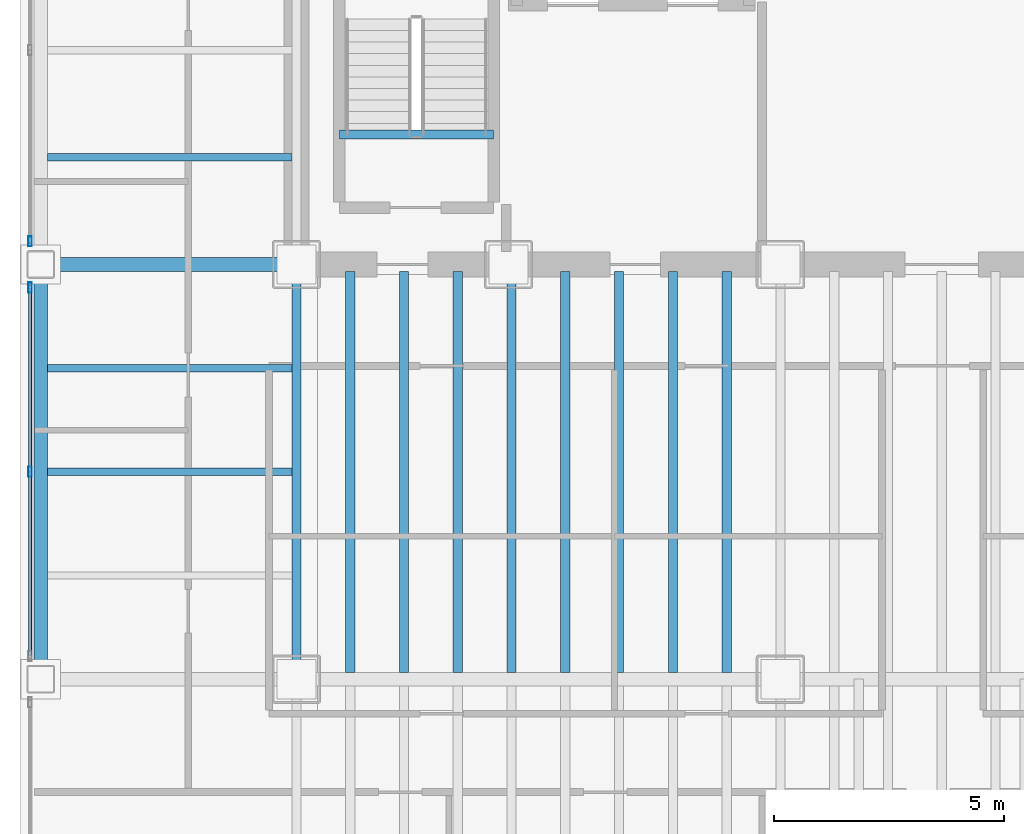
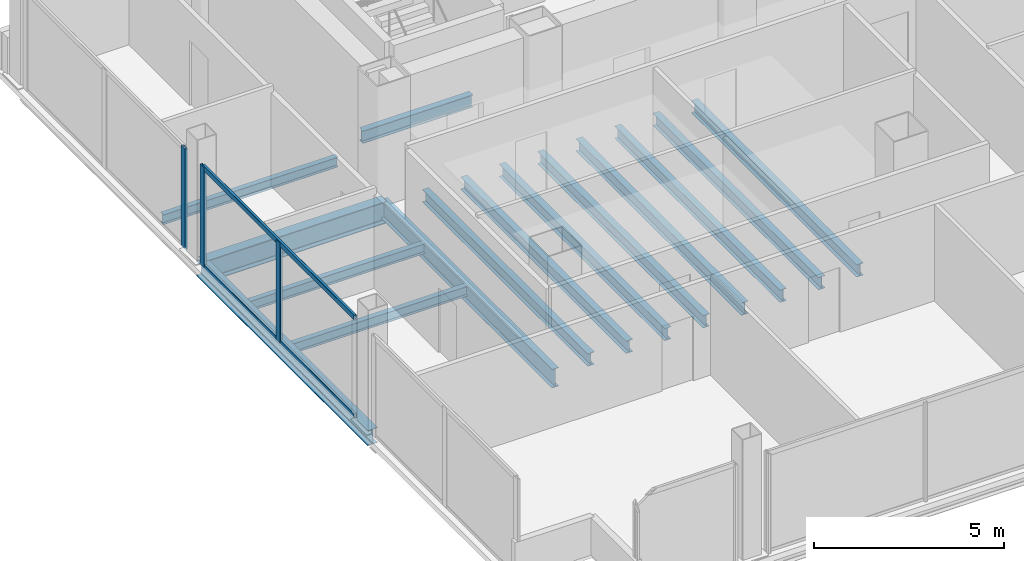
# One storey, part 6 of 22: 15 beams, 5 members, 2 elements without a shape of their own.
"""IFC4 building model written with IfcOpenShell, lengths in metres."""

from ifc_helpers import new_model, si_unit, direction, frame, origin, origin_2d, place, context, subcontext, project, spatial, hollow_rectangle, i_section, extrude, material, material_profile, profile_set, type_object, element, aggregate, save


model = new_model("IFC4")

# Units and contexts
model_context = context("Model", 3, precision=1e-05, world=origin(), true_north=direction((0.0, 1.0)))
body_context = subcontext(model_context, "Body", "Model", "MODEL_VIEW")
ifc_project = project(units=[si_unit("LENGTHUNIT", "METRE"), si_unit("AREAUNIT", "SQUARE_METRE"), si_unit("VOLUMEUNIT", "CUBIC_METRE"), si_unit("PLANEANGLEUNIT", "RADIAN"), si_unit("MASSUNIT", "GRAM", prefix="KILO")], contexts=[model_context])

# Site, building, storey
site_placement = place(None, origin())
site = spatial("IfcSite", under=ifc_project, at=site_placement, CompositionType="ELEMENT")
building_placement = place(site_placement, origin())
building = spatial("IfcBuilding", under=site, at=building_placement, Name="Noeulbin Bourse Tower", CompositionType="ELEMENT")
storey_placement = place(building_placement, frame((0.0, 0.0, 88.89990234375)))
storey = spatial("IfcBuildingStorey", under=building, at=storey_placement, Name="L22", CompositionType="ELEMENT", Elevation=88.89990234375)

# Beams
ifc_material_1 = material(Name="Steel S355", Category="steel")
ifc_material_profile_1 = material_profile(ifc_material_1, i_section(OverallWidth=0.199951171875, OverallDepth=0.60009765625, WebThickness=0.010986328125, FlangeThickness=0.01708984375, FilletRadius=0.02197265625, at=origin_2d()), Name="H-600x200x11x17", Category="LoadBearing")
ifc_profile_set_1 = profile_set([ifc_material_profile_1], Name="Steel S355")
beam_type_1 = type_object("IfcBeamType", Name="BM-GRD-600", PredefinedType="USERDEFINED", material=ifc_profile_set_1)
beam_1_placement = place(storey_placement, frame((13.5, 20.0, -0.47998046875), z_axis=(0.0, 1.0, 0.0), x_axis=(-1.0, 0.0, 0.0)))
element("IfcBeam", 1, at=beam_1_placement, inside=storey, type_object=beam_type_1, Name="Tower Primary Girder NS L22-1.2", ObjectType="GIRDER", PredefinedType="USERDEFINED", context=body_context, shape_type="SweptSolid", body=[
    extrude(i_section(OverallWidth=0.199951171875, OverallDepth=0.60009765625, WebThickness=0.010986328125, FlangeThickness=0.01708984375, FilletRadius=0.02197265625, at=origin_2d()), origin(), (0.0, 0.0, 1.0), 9.0),
])
ifc_material_profile_2 = material_profile(ifc_material_1, i_section(OverallWidth=0.300048828125, OverallDepth=0.699951171875, WebThickness=0.012939453125, FlangeThickness=0.02392578125, FilletRadius=0.02392578125, at=origin_2d()), Name="H-700x300x13x24", Category="LoadBearing")
ifc_profile_set_2 = profile_set([ifc_material_profile_2], Name="Steel S355")
beam_type_2 = type_object("IfcBeamType", Name="BM-GRD-700", PredefinedType="USERDEFINED", material=ifc_profile_set_2)
beam_2_placement = place(storey_placement, frame((7.949951171875, 29.0, -0.52978515625), z_axis=(1.0, 0.0, 0.0), x_axis=(0.0, 1.0, 0.0)))
element("IfcBeam", 2, at=beam_2_placement, inside=storey, type_object=beam_type_2, Name="Tower Primary Girder EW L22-2.1", ObjectType="GIRDER", PredefinedType="USERDEFINED", context=body_context, shape_type="SweptSolid", body=[
    extrude(i_section(OverallWidth=0.300048828125, OverallDepth=0.699951171875, WebThickness=0.012939453125, FlangeThickness=0.02392578125, FilletRadius=0.02392578125, at=origin_2d()), origin(), (0.0, 0.0, 1.0), 5.550048828125),
])
ifc_material_profile_3 = material_profile(ifc_material_1, i_section(OverallWidth=0.159912109375, OverallDepth=0.320068359375, WebThickness=0.006591796875, FlangeThickness=0.010009765625, FilletRadius=0.012939453125, at=origin_2d()), Name="H-320x160x6.5x10", Category="LoadBearing")
ifc_profile_set_3 = profile_set([ifc_material_profile_3], Name="Steel S355")
beam_type_3 = type_object("IfcBeamType", Name="BM-JST-320", PredefinedType="JOIST", material=ifc_profile_set_3)
for number, where, z_axis, x_axis, name in (
    (3, (8.10009765625, 24.5, -0.33984375), (1.0, 0.0, 0.0), (0.0, 1.0, 0.0), "Wing Composite Joist L22-W71"),
    (4, (8.10009765625, 26.75, -0.33984375), (1.0, 0.0, 0.0), (0.0, 1.0, 0.0), "Wing Composite Joist L22-W72"),
    (5, (8.10009765625, 31.324951171875, -0.33984375), (1.0, 0.0, 0.0), (0.0, 1.0, 0.0), "Wing Composite Joist L22-W73"),
):
    element("IfcBeam", number, at=place(storey_placement, frame(where, z_axis=z_axis, x_axis=x_axis)), inside=storey, type_object=beam_type_3, Name=name, PredefinedType="JOIST", context=body_context, shape_type="SweptSolid", body=[
        extrude(i_section(OverallWidth=0.159912109375, OverallDepth=0.320068359375, WebThickness=0.006591796875, FlangeThickness=0.010009765625, FilletRadius=0.012939453125, at=origin_2d()), origin(), (0.0, 0.0, 1.0), 5.2998046875),
    ])
ifc_material_profile_4 = material_profile(ifc_material_1, i_section(OverallWidth=0.199951171875, OverallDepth=0.39990234375, WebThickness=0.008056640625, FlangeThickness=0.012939453125, FilletRadius=0.01611328125, at=origin_2d()), Name="H-400x200x8x13", Category="LoadBearing")
ifc_profile_set_4 = profile_set([ifc_material_profile_4], Name="Steel S355")
beam_type_4 = type_object("IfcBeamType", Name="BM-SEC-400", PredefinedType="BEAM", material=ifc_profile_set_4)
for number, where, z_axis, x_axis, name in (
    (6, (14.666748046875, 20.14990234375, -0.3798828125), (0.0, 1.0, 0.0), (-1.0, 0.0, 0.0), "Tower Composite Joist L22-02"),
    (7, (15.833251953125, 20.14990234375, -0.3798828125), (0.0, 1.0, 0.0), (-1.0, 0.0, 0.0), "Tower Composite Joist L22-05"),
    (8, (17.0, 20.14990234375, -0.3798828125), (0.0, 1.0, 0.0), (-1.0, 0.0, 0.0), "Tower Composite Joist L22-08"),
    (9, (18.166748046875, 20.14990234375, -0.3798828125), (0.0, 1.0, 0.0), (-1.0, 0.0, 0.0), "Tower Composite Joist L22-11"),
    (10, (19.333251953125, 20.14990234375, -0.3798828125), (0.0, 1.0, 0.0), (-1.0, 0.0, 0.0), "Tower Composite Joist L22-14"),
    (11, (20.5, 20.14990234375, -0.3798828125), (0.0, 1.0, 0.0), (-1.0, 0.0, 0.0), "Tower Composite Joist L22-17"),
    (12, (21.666748046875, 20.14990234375, -0.3798828125), (0.0, 1.0, 0.0), (-1.0, 0.0, 0.0), "Tower Composite Joist L22-20"),
    (13, (22.833251953125, 20.14990234375, -0.3798828125), (0.0, 1.0, 0.0), (-1.0, 0.0, 0.0), "Tower Composite Joist L22-23"),
):
    element("IfcBeam", number, at=place(storey_placement, frame(where, z_axis=z_axis, x_axis=x_axis)), inside=storey, type_object=beam_type_4, Name=name, PredefinedType="BEAM", context=body_context, shape_type="SweptSolid", body=[
        extrude(i_section(OverallWidth=0.199951171875, OverallDepth=0.39990234375, WebThickness=0.008056640625, FlangeThickness=0.012939453125, FilletRadius=0.01611328125, at=origin_2d()), origin(), (0.0, 0.0, 1.0), 8.7001953125),
    ])
beam_3_placement = place(storey_placement, frame((14.429931640625, 31.820068359375, -0.199951171875), z_axis=(1.0, 0.0, 0.0), x_axis=(0.0, 1.0, 0.0)))
element("IfcBeam", 14, at=beam_3_placement, inside=storey, type_object=beam_type_4, Name="Stair Threshold Trimmer Beam ST1-L22", PredefinedType="BEAM", context=body_context, shape_type="SweptSolid", body=[
    extrude(i_section(OverallWidth=0.199951171875, OverallDepth=0.39990234375, WebThickness=0.008056640625, FlangeThickness=0.012939453125, FilletRadius=0.01611328125, at=origin_2d()), origin(), (0.0, 0.0, 1.0), 3.340087890625),
])
ifc_material_profile_5 = material_profile(ifc_material_1, i_section(OverallWidth=0.300048828125, OverallDepth=0.488037109375, WebThickness=0.010986328125, FlangeThickness=0.01806640625, FilletRadius=0.02197265625, at=origin_2d()), Name="H-488x300x11x18", Category="LoadBearing")
ifc_profile_set_5 = profile_set([ifc_material_profile_5], Name="Steel S355")
beam_type_5 = type_object("IfcBeamType", Name="BM-SPN-488", PredefinedType="SPANDREL", material=ifc_profile_set_5)
beam_4_placement = place(storey_placement, frame((7.949951171875, 20.0, -0.423828125), z_axis=(0.0, 1.0, 0.0), x_axis=(-1.0, 0.0, 0.0)))
element("IfcBeam", 15, at=beam_4_placement, inside=storey, type_object=beam_type_5, Name="West Spandrel L22-1", PredefinedType="SPANDREL", context=body_context, shape_type="SweptSolid", body=[
    extrude(i_section(OverallWidth=0.300048828125, OverallDepth=0.488037109375, WebThickness=0.010986328125, FlangeThickness=0.01806640625, FilletRadius=0.02197265625, at=origin_2d()), origin(), (0.0, 0.0, 1.0), 9.0),
])

# Curtain wall, members
ifc_material_2 = material(Name="Dark Solar-Control Double Glazing", Category="glass")
curtain_wall_type = type_object("IfcCurtainWallType", Name="CW-SYS-2", PredefinedType="NOTDEFINED", material=ifc_material_2)
curtain_wall_1_placement = place(storey_placement, origin())
curtain_wall_1 = element("IfcCurtainWall", 16, at=curtain_wall_1_placement, inside=storey, type_object=curtain_wall_type, Name="Unitised Curtain Wall CW-L22-W-S2", PredefinedType="NOTDEFINED")
ifc_material_3 = material(Name="Anodised Aluminium 6063-T6", Category="aluminium")
ifc_material_profile_6 = material_profile(ifc_material_3, hollow_rectangle(XDim=0.074951171875, YDim=0.219970703125, WallThickness=0.0048828125, InnerFilletRadius=0.00244140625, OuterFilletRadius=0.0048828125, at=origin_2d()), Name="ALU-MULL-75x220x5", Category="LoadBearing")
ifc_profile_set_6 = profile_set([ifc_material_profile_6], Name="Anodised Aluminium 6063-T6")
member_type_1 = type_object("IfcMemberType", Name="CW-SYS-2-MUL", PredefinedType="MULLION", material=ifc_profile_set_6)
member_1_placement = place(storey_placement, frame((7.719970703125, 24.5, -0.02001953125), z_axis=(0.0, 0.0, 1.0), x_axis=(1.0, 0.0, 0.0)))
member_1 = element("IfcMember", 17, at=member_1_placement, type_object=member_type_1, Name="Curtain Wall Mullion CW-L22-W-S2-M01", PredefinedType="MULLION", context=body_context, shape_type="SweptSolid", body=[
    extrude(hollow_rectangle(XDim=0.074951171875, YDim=0.219970703125, WallThickness=0.0048828125, InnerFilletRadius=0.00244140625, OuterFilletRadius=0.0048828125, at=origin_2d()), origin(), (0.0, 0.0, 1.0), 3.22021484375),
])
member_2_placement = place(storey_placement, frame((7.719970703125, 28.5, -0.02001953125), z_axis=(0.0, 0.0, 1.0), x_axis=(1.0, 0.0, 0.0)))
member_2 = element("IfcMember", 18, at=member_2_placement, type_object=member_type_1, Name="Curtain Wall Mullion CW-L22-W-S2-M02", PredefinedType="MULLION", context=body_context, shape_type="SweptSolid", body=[
    extrude(hollow_rectangle(XDim=0.074951171875, YDim=0.219970703125, WallThickness=0.0048828125, InnerFilletRadius=0.00244140625, OuterFilletRadius=0.0048828125, at=origin_2d()), origin(), (0.0, 0.0, 1.0), 3.22021484375),
])

# Curtain wall, member
curtain_wall_2_placement = place(storey_placement, origin())
curtain_wall_2 = element("IfcCurtainWall", 19, at=curtain_wall_2_placement, inside=storey, type_object=curtain_wall_type, Name="Unitised Curtain Wall CW-L22-W-S3", PredefinedType="NOTDEFINED")
member_3_placement = place(storey_placement, frame((7.719970703125, 29.5, -0.02001953125), z_axis=(0.0, 0.0, 1.0), x_axis=(1.0, 0.0, 0.0)))
member_3 = element("IfcMember", 20, at=member_3_placement, type_object=member_type_1, Name="Curtain Wall Mullion CW-L22-W-S3-M00", PredefinedType="MULLION", context=body_context, shape_type="SweptSolid", body=[
    extrude(hollow_rectangle(XDim=0.074951171875, YDim=0.219970703125, WallThickness=0.0048828125, InnerFilletRadius=0.00244140625, OuterFilletRadius=0.0048828125, at=origin_2d()), origin(), (0.0, 0.0, 1.0), 3.22021484375),
])
aggregate(curtain_wall_2, [member_3])

# Member
ifc_material_profile_7 = material_profile(ifc_material_3, hollow_rectangle(XDim=0.074951171875, YDim=0.159912109375, WallThickness=0.0048828125, InnerFilletRadius=0.00244140625, OuterFilletRadius=0.0048828125, at=origin_2d()), Name="ALU-TRAN-75x160x5", Category="LoadBearing")
ifc_profile_set_7 = profile_set([ifc_material_profile_7], Name="Anodised Aluminium 6063-T6")
member_type_2 = type_object("IfcMemberType", Name="CW-SYS-2-TRN", PredefinedType="USERDEFINED", material=ifc_profile_set_7)
member_4_placement = place(storey_placement, frame((7.719970703125, 20.510009765625, 0.010009765625), z_axis=(0.0, 1.0, 0.0), x_axis=(-1.0, 0.0, 0.0)))
member_4 = element("IfcMember", 21, at=member_4_placement, type_object=member_type_2, Name="Curtain Wall Transom CW-L22-W-S2-T00", ObjectType="TRANSOM", PredefinedType="USERDEFINED", context=body_context, shape_type="SweptSolid", body=[
    extrude(hollow_rectangle(XDim=0.074951171875, YDim=0.159912109375, WallThickness=0.0048828125, InnerFilletRadius=0.00244140625, OuterFilletRadius=0.0048828125, at=origin_2d()), origin(), (0.0, 0.0, 1.0), 7.97998046875),
])

member_5_placement = place(storey_placement, frame((7.719970703125, 20.510009765625, 3.170166015625), z_axis=(0.0, 1.0, 0.0), x_axis=(-1.0, 0.0, 0.0)))
member_5 = element("IfcMember", 22, at=member_5_placement, type_object=member_type_2, Name="Curtain Wall Transom CW-L22-W-S2-T01", ObjectType="TRANSOM", PredefinedType="USERDEFINED", context=body_context, shape_type="SweptSolid", body=[
    extrude(hollow_rectangle(XDim=0.074951171875, YDim=0.159912109375, WallThickness=0.0048828125, InnerFilletRadius=0.00244140625, OuterFilletRadius=0.0048828125, at=origin_2d()), origin(), (0.0, 0.0, 1.0), 7.97998046875),
])

aggregate(curtain_wall_1, [member_1, member_2, member_4, member_5])

save(model, "model.ifc")
